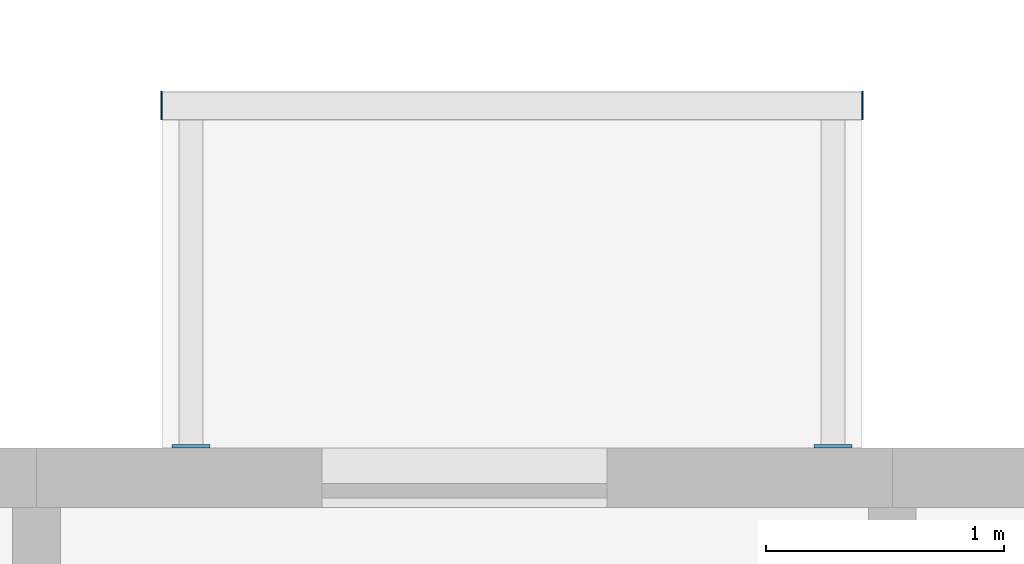
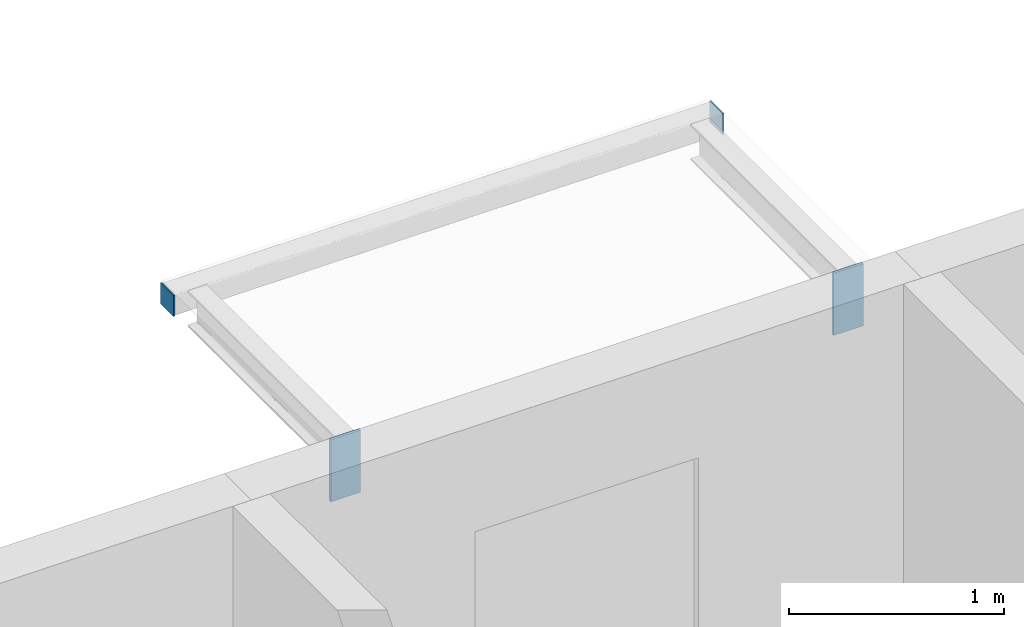
# One storey, part 59 of 78: 4 discrete accessories.
"""IFC4 building model written with IfcOpenShell, lengths in metres."""

from ifc_helpers import new_model, si_unit, direction, frame, origin, origin_2d, place, context, subcontext, project, spatial, rectangle, extrude, material, layer, layer_set, type_object, element, save


model = new_model("IFC4")

# Units and contexts
model_context = context("Model", 3, precision=1e-05, world=origin(), true_north=direction((0.0, 1.0)))
body_context = subcontext(model_context, "Body", "Model", "MODEL_VIEW")
ifc_project = project(units=[si_unit("LENGTHUNIT", "METRE"), si_unit("AREAUNIT", "SQUARE_METRE"), si_unit("VOLUMEUNIT", "CUBIC_METRE"), si_unit("PLANEANGLEUNIT", "RADIAN"), si_unit("MASSUNIT", "GRAM", prefix="KILO")], contexts=[model_context])

# Site, building, storey
site_placement = place(None, origin())
site = spatial("IfcSite", under=ifc_project, at=site_placement, CompositionType="ELEMENT")
building_placement = place(site_placement, origin())
building = spatial("IfcBuilding", under=site, at=building_placement, Name="Ridgestep Commons", CompositionType="ELEMENT")
storey_placement = place(building_placement, frame((0.0, 0.0, 30.0)))
storey = spatial("IfcBuildingStorey", under=building, at=storey_placement, Name="L10", CompositionType="ELEMENT", Elevation=30.0)

# Discrete accessories
ifc_material_1 = material(Name="Weathering steel S355J2W", Category="steel")
ifc_layer_1 = layer(ifc_material_1, 0.014892578125)
ifc_layer_set_1 = layer_set([ifc_layer_1], Name="Tray bracket plate 15")
discrete_accessory_type_1 = type_object("IfcDiscreteAccessoryType", Name="Tray bracket plate 15", PredefinedType="BRACKET", material=ifc_layer_set_1)
for number, where, z_axis, x_axis, name in (
    (1, (106.25, 23.007568359375, 2.63671875), (0.0, 0.0, 1.0), (1.0, 0.0, 0.0), "Tray bracket A6T2-11.1"),
    (2, (108.949951171875, 23.007568359375, 2.63671875), (0.0, 0.0, 1.0), (1.0, 0.0, 0.0), "Tray bracket A6T2-11.2"),
):
    element("IfcDiscreteAccessory", number, at=place(storey_placement, frame(where, z_axis=z_axis, x_axis=x_axis)), inside=storey, type_object=discrete_accessory_type_1, Name=name, PredefinedType="BRACKET", context=body_context, shape_type="SweptSolid", body=[
        extrude(rectangle(XDim=0.159912109375, YDim=0.014892578125, at=origin_2d()), origin(), (0.0, 0.0, 1.0), 0.353271484375),
    ])
ifc_material_2 = material(Name="Weathering steel S355J2W", Category="steel")
ifc_layer_2 = layer(ifc_material_2, 0.008056640625)
ifc_layer_set_2 = layer_set([ifc_layer_2], Name="Tray edge member end plate 120 x 120 x 8")
discrete_accessory_type_2 = type_object("IfcDiscreteAccessoryType", Name="Tray edge member end plate 120 x 120 x 8", PredefinedType="BRACKET", material=ifc_layer_set_2)
for number, where, z_axis, x_axis, name in (
    (3, (106.1259765625, 24.43994140625, 2.869873046875), (0.0, 0.0, 1.0), (1.0, 0.0, 0.0), "Tray edge member end plate A6T2-11 west"),
    (4, (109.073974609375, 24.43994140625, 2.869873046875), (0.0, 0.0, 1.0), (1.0, 0.0, 0.0), "Tray edge member end plate A6T2-11 east"),
):
    element("IfcDiscreteAccessory", number, at=place(storey_placement, frame(where, z_axis=z_axis, x_axis=x_axis)), inside=storey, type_object=discrete_accessory_type_2, Name=name, PredefinedType="BRACKET", context=body_context, shape_type="SweptSolid", body=[
        extrude(rectangle(XDim=0.008056640625, YDim=0.1201171875, at=origin_2d()), origin(), (0.0, 0.0, 1.0), 0.1201171875),
    ])

save(model, "model.ifc")
